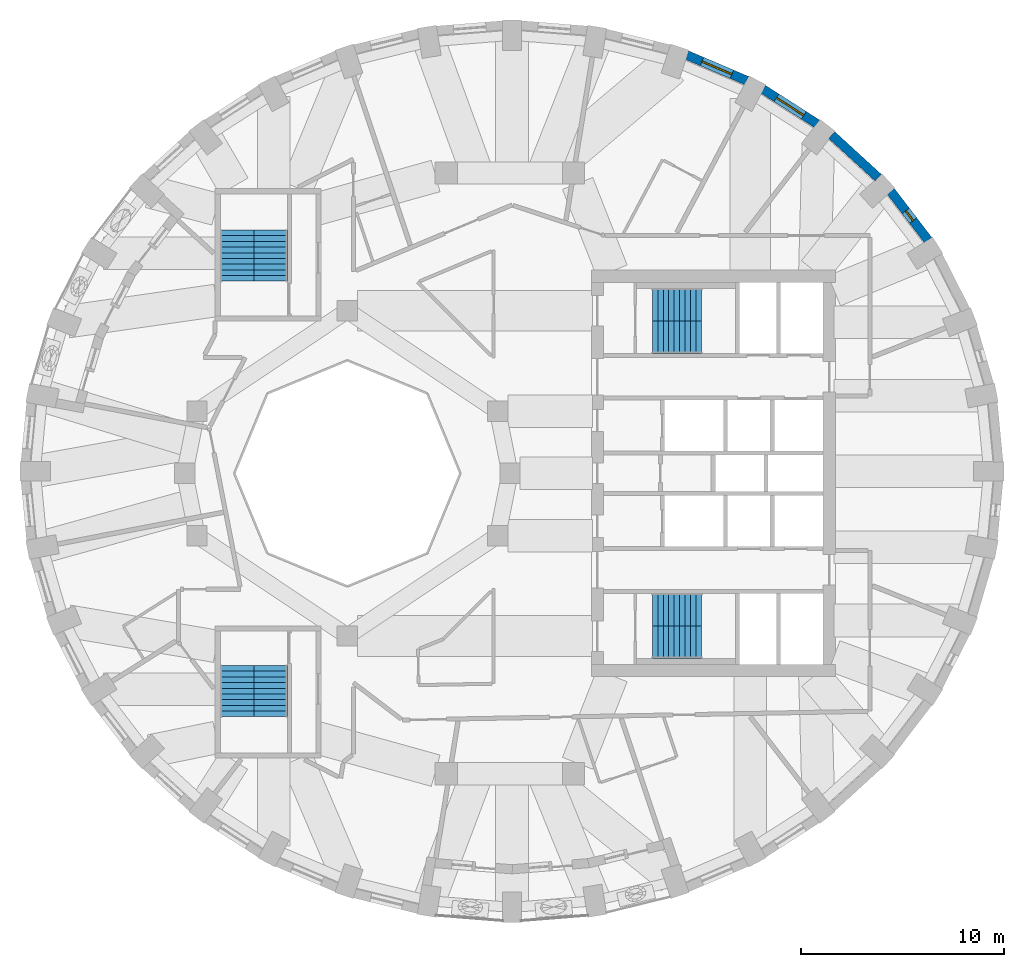
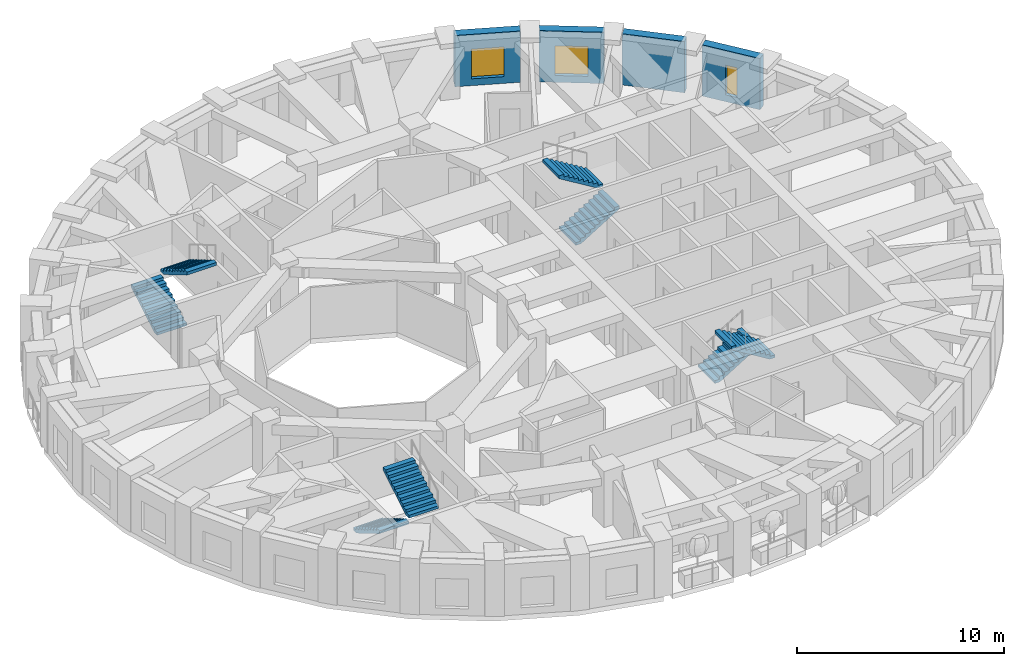
# One storey, part 8 of 11: 8 stair flights, 4 walls, 3 windows, 3 openings, 4 elements without a shape of their own.
"""IFC4 building model written with IfcOpenShell, lengths in metres."""

from ifc_helpers import new_model, si_unit, direction, frame, frame_2d, origin, place, context, subcontext, project, spatial, polyline, rectangle, outline, extrude, material, layer, layer_set, type_object, element, fill, aggregate, save


model = new_model("IFC4")

# Units and contexts
model_context = context("Model", 3, precision=1e-05, world=origin(), true_north=direction((0.0, 1.0)))
body_context = subcontext(model_context, "Body", "Model", "MODEL_VIEW")
ifc_project = project(units=[si_unit("LENGTHUNIT", "METRE"), si_unit("AREAUNIT", "SQUARE_METRE"), si_unit("VOLUMEUNIT", "CUBIC_METRE"), si_unit("PLANEANGLEUNIT", "RADIAN"), si_unit("MASSUNIT", "GRAM", prefix="KILO")], contexts=[model_context])

# Site, building, storey
site_placement = place(None, origin())
site = spatial("IfcSite", under=ifc_project, at=site_placement, CompositionType="ELEMENT")
building_placement = place(site_placement, origin())
building = spatial("IfcBuilding", under=site, at=building_placement, Name="Taillehof Tower", CompositionType="ELEMENT")
storey_placement = place(building_placement, frame((0.0, 0.0, 158.300048828125)))
storey = spatial("IfcBuildingStorey", under=building, at=storey_placement, Name="L44", CompositionType="ELEMENT", Elevation=158.300048828125)

# Wall, opening, window
ifc_material_1 = material(Name="Brick masonry", Category="masonry")
ifc_layer = layer(ifc_material_1, 0.449951171875)
ifc_layer_set = layer_set([ifc_layer], Name="Brick infill wall 450")
wall_type = type_object("IfcWallType", Name="Brick infill wall 450", PredefinedType="SOLIDWALL", material=ifc_layer_set)
wall_1_placement = place(storey_placement, frame((20.573974609375, 11.467041015625, 0.0), z_axis=(0.0, 0.0, 1.0), x_axis=(-0.607817056371, 0.794077090706, 0.0)))
wall_1 = element("IfcWall", 1, at=wall_1_placement, inside=storey, type_object=wall_type, Name="Brick wall L44 bay 4", PredefinedType="SOLIDWALL", context=body_context, shape_type="SweptSolid", body=[
    extrude(rectangle(XDim=3.037109375, YDim=0.449951171875, at=frame_2d((1.5185546875, 0.0))), origin(), (0.0, 0.0, 1.0), 3.02001953125),
])
opening_1_placement = place(wall_1_placement, frame((1.218505859375, 0.0, 0.39990234375)))
opening_1 = element("IfcOpeningElement", 2, at=opening_1_placement, cuts=wall_1, Name="Opening W6", PredefinedType="OPENING", context=body_context, shape_type="SweptSolid", body=[
    extrude(rectangle(XDim=0.60009765625, YDim=1.75, at=frame_2d((0.300048828125, 0.875))), frame((0.0, 0.23486328125, 0.0), z_axis=(0.0, -1.0, 0.0), x_axis=(1.0, 0.0, 0.0)), (0.0, 0.0, 1.0), 0.469970703125),
])
ifc_material_2 = material(Name="Aluminium window frame with clear double glazing", Category="aluminium")
window_type_1 = type_object("IfcWindowType", Name="Slot window 600x1750", PartitioningType="SINGLE_PANEL", PredefinedType="WINDOW", material=ifc_material_2)
window_1_placement = place(opening_1_placement, origin())
window_1 = element("IfcWindow", 3, at=window_1_placement, inside=storey, type_object=window_type_1, Name="W6", OverallHeight=1.75, OverallWidth=0.60009765625, PartitioningType="SINGLE_PANEL", PredefinedType="WINDOW", context=body_context, shape_type="SweptSolid", body=[
    extrude(rectangle(XDim=0.60009765625, YDim=1.75, at=frame_2d((0.300048828125, 0.875))), frame((0.0, 0.034912109375, 0.0), z_axis=(0.0, -1.0, 0.0), x_axis=(1.0, 0.0, 0.0)), (0.0, 0.0, 1.0), 0.06005859375),
])
fill(opening_1, window_1)

# Wall
wall_2_placement = place(storey_placement, frame((18.11328125, 14.5498046875, 0.0), z_axis=(0.0, 0.0, 1.0), x_axis=(-0.737808755941, 0.675009807082, 0.0)))
element("IfcWall", 4, at=wall_2_placement, inside=storey, type_object=wall_type, Name="Brick wall L44 bay 5", PredefinedType="SOLIDWALL", context=body_context, shape_type="SweptSolid", body=[
    extrude(rectangle(XDim=3.094482421875, YDim=0.449951171875, at=frame_2d((1.54736328125, 0.0))), origin(), (0.0, 0.0, 1.0), 3.02001953125),
])

# Wall, opening, window
wall_3_placement = place(storey_placement, frame((15.1083984375, 17.193359375, 0.0), z_axis=(0.0, 0.0, 1.0), x_axis=(-0.842030726237, 0.539429565442, 0.0)))
wall_3 = element("IfcWall", 5, at=wall_3_placement, inside=storey, type_object=wall_type, Name="Brick wall L44 bay 6", PredefinedType="SOLIDWALL", context=body_context, shape_type="SweptSolid", body=[
    extrude(rectangle(XDim=3.1513671875, YDim=0.449951171875, at=frame_2d((1.57568359375, 0.0))), origin(), (0.0, 0.0, 1.0), 3.02001953125),
])
opening_2_placement = place(wall_3_placement, frame((0.775634765625, 0.0, 0.39990234375)))
opening_2 = element("IfcOpeningElement", 6, at=opening_2_placement, cuts=wall_3, Name="Opening W3", PredefinedType="OPENING", context=body_context, shape_type="SweptSolid", body=[
    extrude(rectangle(XDim=1.60009765625, YDim=1.75, at=frame_2d((0.800048828125, 0.875))), frame((0.0, 0.23486328125, 0.0), z_axis=(0.0, -1.0, 0.0), x_axis=(1.0, 0.0, 0.0)), (0.0, 0.0, 1.0), 0.469970703125),
])
ifc_material_3 = material(Name="Aluminium window frame with clear double glazing", Category="aluminium")
window_type_2 = type_object("IfcWindowType", Name="Deep-set window 1600x1750", PartitioningType="SINGLE_PANEL", PredefinedType="WINDOW", material=ifc_material_3)
window_2_placement = place(opening_2_placement, origin())
window_2 = element("IfcWindow", 7, at=window_2_placement, inside=storey, type_object=window_type_2, Name="W3", OverallHeight=1.75, OverallWidth=1.60009765625, PartitioningType="SINGLE_PANEL", PredefinedType="WINDOW", context=body_context, shape_type="SweptSolid", body=[
    extrude(rectangle(XDim=1.60009765625, YDim=1.75, at=frame_2d((0.800048828125, 0.875))), frame((0.0, 0.034912109375, 0.0), z_axis=(0.0, -1.0, 0.0), x_axis=(1.0, 0.0, 0.0)), (0.0, 0.0, 1.0), 0.06005859375),
])
fill(opening_2, window_2)

wall_4_placement = place(storey_placement, frame((11.650390625, 19.318603515625, 0.0), z_axis=(0.0, 0.0, 1.0), x_axis=(-0.91981046949, 0.392362969986, 0.0)))
wall_4 = element("IfcWall", 8, at=wall_4_placement, inside=storey, type_object=wall_type, Name="Brick wall L44 bay 7", PredefinedType="SOLIDWALL", context=body_context, shape_type="SweptSolid", body=[
    extrude(rectangle(XDim=3.20068359375, YDim=0.449951171875, at=frame_2d((1.600341796875, 0.0))), origin(), (0.0, 0.0, 1.0), 3.02001953125),
])
opening_3_placement = place(wall_4_placement, frame((0.80029296875, 0.0, 0.39990234375)))
opening_3 = element("IfcOpeningElement", 9, at=opening_3_placement, cuts=wall_4, Name="Opening W3", PredefinedType="OPENING", context=body_context, shape_type="SweptSolid", body=[
    extrude(rectangle(XDim=1.60009765625, YDim=1.75, at=frame_2d((0.800048828125, 0.875))), frame((0.0, 0.23486328125, 0.0), z_axis=(0.0, -1.0, 0.0), x_axis=(1.0, 0.0, 0.0)), (0.0, 0.0, 1.0), 0.469970703125),
])
window_3_placement = place(opening_3_placement, origin())
window_3 = element("IfcWindow", 10, at=window_3_placement, inside=storey, type_object=window_type_2, Name="W3", OverallHeight=1.75, OverallWidth=1.60009765625, PartitioningType="SINGLE_PANEL", PredefinedType="WINDOW", context=body_context, shape_type="SweptSolid", body=[
    extrude(rectangle(XDim=1.60009765625, YDim=1.75, at=frame_2d((0.800048828125, 0.875))), frame((0.0, 0.034912109375, 0.0), z_axis=(0.0, -1.0, 0.0), x_axis=(1.0, 0.0, 0.0)), (0.0, 0.0, 1.0), 0.06005859375),
])
fill(opening_3, window_3)

# Stair, stair flights
ifc_material_4 = material(Name="Concrete C40/50", Category="concrete")
stair_type = type_object("IfcStairType", Name="Exit stair half-turn", PredefinedType="HALF_TURN_STAIR", material=ifc_material_4)
stair_1_placement = place(storey_placement, origin())
stair_1 = element("IfcStair", 11, at=stair_1_placement, inside=storey, type_object=stair_type, Name="Exit stair S1", PredefinedType="HALF_TURN_STAIR")
ifc_material_5 = material(Name="Concrete C40/50", Category="concrete")
stair_flight_type_1 = type_object("IfcStairFlightType", Name="Stair flight 1600 riser 165.0 going 270", PredefinedType="STRAIGHT", material=ifc_material_5)
stair_flight_1_placement = place(storey_placement, frame((7.0, 6.699951171875, 0.0), z_axis=(0.0, 0.0, 1.0), x_axis=(1.0, 0.0, 0.0)))
stair_flight_1 = element("IfcStairFlight", 12, at=stair_flight_1_placement, type_object=stair_flight_type_1, Name="S1 flight 1", NumberOfRisers=10, NumberOfTreads=9, PredefinedType="STRAIGHT", RiserHeight=0.165, TreadLength=0.27, context=body_context, shape_type="SweptSolid", body=[
    extrude(outline(polyline([(0.0, 0.0), (0.0, 0.00537109375), (0.0, 0.0107421875), (0.0, 0.015869140625), (0.0, 0.021240234375), (0.0, 0.026611328125), (0.0, 0.031982421875), (0.0, 0.037353515625), (0.0, 0.04248046875), (0.0, 0.0478515625), (0.0, 0.05322265625), (0.0, 0.05859375), (0.0, 0.06396484375), (0.0, 0.069091796875), (0.0, 0.074462890625), (0.0, 0.079833984375), (0.0, 0.085205078125), (0.0, 0.090576171875), (0.0, 0.095703125), (0.0, 0.10107421875), (0.0, 0.1064453125), (0.0, 0.11181640625), (0.0, 0.1171875), (0.0, 0.122314453125), (0.0, 0.127685546875), (0.0, 0.133056640625), (0.0, 0.138427734375), (0.0, 0.143798828125), (0.0, 0.14892578125), (0.0, 0.154296875), (0.0, 0.15966796875), (0.0, 0.1650390625), (0.27001953125, 0.1650390625), (0.27001953125, 0.330078125), (0.5400390625, 0.330078125), (0.5400390625, 0.4951171875), (0.81005859375, 0.4951171875), (0.81005859375, 0.659912109375), (1.080078125, 0.659912109375), (1.080078125, 0.824951171875), (1.35009765625, 0.824951171875), (1.35009765625, 0.989990234375), (1.6201171875, 0.989990234375), (1.6201171875, 1.155029296875), (1.889892578125, 1.155029296875), (1.889892578125, 1.320068359375), (2.159912109375, 1.320068359375), (2.159912109375, 1.485107421875), (2.429931640625, 1.485107421875), (2.429931640625, 1.479248046875), (2.429931640625, 1.4736328125), (2.429931640625, 1.468017578125), (2.429931640625, 1.46240234375), (2.429931640625, 1.45654296875), (2.429931640625, 1.450927734375), (2.429931640625, 1.4453125), (2.429931640625, 1.439697265625), (2.429931640625, 1.43408203125), (2.429931640625, 1.42822265625), (2.429931640625, 1.422607421875), (2.429931640625, 1.4169921875), (2.429931640625, 1.411376953125), (2.429931640625, 1.40576171875), (2.429931640625, 1.39990234375), (2.429931640625, 1.394287109375), (2.429931640625, 1.388671875), (2.429931640625, 1.383056640625), (2.429931640625, 1.37744140625), (2.429931640625, 1.37158203125), (2.429931640625, 1.365966796875), (2.429931640625, 1.3603515625), (2.429931640625, 1.354736328125), (2.429931640625, 1.348876953125), (2.429931640625, 1.34326171875), (2.429931640625, 1.337646484375), (2.429931640625, 1.33203125), (2.429931640625, 1.326416015625), (2.429931640625, 1.320556640625), (2.429931640625, 1.31494140625), (2.429931640625, 1.309326171875), (0.287353515625, 0.0), (0.0, 0.0)])), frame((0.0, 0.800048828125, 0.0), z_axis=(0.0, -1.0, 0.0), x_axis=(1.0, 0.0, 0.0)), (0.0, 0.0, 1.0), 1.6),
])
stair_flight_2_placement = place(storey_placement, frame((9.429931640625, 8.300048828125, 1.64990234375), z_axis=(0.0, 0.0, 1.0), x_axis=(-1.0, 0.0, 0.0)))
stair_flight_2 = element("IfcStairFlight", 13, at=stair_flight_2_placement, type_object=stair_flight_type_1, Name="S1 flight 2", NumberOfRisers=10, NumberOfTreads=9, PredefinedType="STRAIGHT", RiserHeight=0.165, TreadLength=0.27, context=body_context, shape_type="SweptSolid", body=[
    extrude(outline(polyline([(0.0, 0.0), (0.0, 0.00537109375), (0.0, 0.0107421875), (0.0, 0.015869140625), (0.0, 0.021240234375), (0.0, 0.026611328125), (0.0, 0.031982421875), (0.0, 0.037353515625), (0.0, 0.04248046875), (0.0, 0.0478515625), (0.0, 0.05322265625), (0.0, 0.05859375), (0.0, 0.06396484375), (0.0, 0.069091796875), (0.0, 0.074462890625), (0.0, 0.079833984375), (0.0, 0.085205078125), (0.0, 0.090576171875), (0.0, 0.095703125), (0.0, 0.10107421875), (0.0, 0.1064453125), (0.0, 0.11181640625), (0.0, 0.1171875), (0.0, 0.122314453125), (0.0, 0.127685546875), (0.0, 0.133056640625), (0.0, 0.138427734375), (0.0, 0.143798828125), (0.0, 0.14892578125), (0.0, 0.154296875), (0.0, 0.15966796875), (0.0, 0.1650390625), (0.27001953125, 0.1650390625), (0.27001953125, 0.330078125), (0.5400390625, 0.330078125), (0.5400390625, 0.4951171875), (0.81005859375, 0.4951171875), (0.81005859375, 0.659912109375), (1.080078125, 0.659912109375), (1.080078125, 0.824951171875), (1.35009765625, 0.824951171875), (1.35009765625, 0.989990234375), (1.6201171875, 0.989990234375), (1.6201171875, 1.155029296875), (1.889892578125, 1.155029296875), (1.889892578125, 1.320068359375), (2.159912109375, 1.320068359375), (2.159912109375, 1.485107421875), (2.429931640625, 1.485107421875), (2.429931640625, 1.479248046875), (2.429931640625, 1.4736328125), (2.429931640625, 1.468017578125), (2.429931640625, 1.46240234375), (2.429931640625, 1.45654296875), (2.429931640625, 1.450927734375), (2.429931640625, 1.4453125), (2.429931640625, 1.439697265625), (2.429931640625, 1.43408203125), (2.429931640625, 1.42822265625), (2.429931640625, 1.422607421875), (2.429931640625, 1.4169921875), (2.429931640625, 1.411376953125), (2.429931640625, 1.40576171875), (2.429931640625, 1.39990234375), (2.429931640625, 1.394287109375), (2.429931640625, 1.388671875), (2.429931640625, 1.383056640625), (2.429931640625, 1.37744140625), (2.429931640625, 1.37158203125), (2.429931640625, 1.365966796875), (2.429931640625, 1.3603515625), (2.429931640625, 1.354736328125), (2.429931640625, 1.348876953125), (2.429931640625, 1.34326171875), (2.429931640625, 1.337646484375), (2.429931640625, 1.33203125), (2.429931640625, 1.326416015625), (2.429931640625, 1.320556640625), (2.429931640625, 1.31494140625), (2.429931640625, 1.309326171875), (0.287353515625, 0.0), (0.0, 0.0)])), frame((0.0, 0.800048828125, 0.0), z_axis=(0.0, -1.0, 0.0), x_axis=(1.0, 0.0, 0.0)), (0.0, 0.0, 1.0), 1.6),
])
aggregate(stair_1, [stair_flight_1, stair_flight_2])

stair_2_placement = place(storey_placement, origin())
stair_2 = element("IfcStair", 14, at=stair_2_placement, inside=storey, type_object=stair_type, Name="Exit stair S2", PredefinedType="HALF_TURN_STAIR")
stair_flight_3_placement = place(storey_placement, frame((7.0, -6.699951171875, 0.0), z_axis=(0.0, 0.0, 1.0), x_axis=(1.0, 0.0, 0.0)))
stair_flight_3 = element("IfcStairFlight", 15, at=stair_flight_3_placement, type_object=stair_flight_type_1, Name="S2 flight 1", NumberOfRisers=10, NumberOfTreads=9, PredefinedType="STRAIGHT", RiserHeight=0.165, TreadLength=0.27, context=body_context, shape_type="SweptSolid", body=[
    extrude(outline(polyline([(0.0, 0.0), (0.0, 0.00537109375), (0.0, 0.0107421875), (0.0, 0.015869140625), (0.0, 0.021240234375), (0.0, 0.026611328125), (0.0, 0.031982421875), (0.0, 0.037353515625), (0.0, 0.04248046875), (0.0, 0.0478515625), (0.0, 0.05322265625), (0.0, 0.05859375), (0.0, 0.06396484375), (0.0, 0.069091796875), (0.0, 0.074462890625), (0.0, 0.079833984375), (0.0, 0.085205078125), (0.0, 0.090576171875), (0.0, 0.095703125), (0.0, 0.10107421875), (0.0, 0.1064453125), (0.0, 0.11181640625), (0.0, 0.1171875), (0.0, 0.122314453125), (0.0, 0.127685546875), (0.0, 0.133056640625), (0.0, 0.138427734375), (0.0, 0.143798828125), (0.0, 0.14892578125), (0.0, 0.154296875), (0.0, 0.15966796875), (0.0, 0.1650390625), (0.27001953125, 0.1650390625), (0.27001953125, 0.330078125), (0.5400390625, 0.330078125), (0.5400390625, 0.4951171875), (0.81005859375, 0.4951171875), (0.81005859375, 0.659912109375), (1.080078125, 0.659912109375), (1.080078125, 0.824951171875), (1.35009765625, 0.824951171875), (1.35009765625, 0.989990234375), (1.6201171875, 0.989990234375), (1.6201171875, 1.155029296875), (1.889892578125, 1.155029296875), (1.889892578125, 1.320068359375), (2.159912109375, 1.320068359375), (2.159912109375, 1.485107421875), (2.429931640625, 1.485107421875), (2.429931640625, 1.479248046875), (2.429931640625, 1.4736328125), (2.429931640625, 1.468017578125), (2.429931640625, 1.46240234375), (2.429931640625, 1.45654296875), (2.429931640625, 1.450927734375), (2.429931640625, 1.4453125), (2.429931640625, 1.439697265625), (2.429931640625, 1.43408203125), (2.429931640625, 1.42822265625), (2.429931640625, 1.422607421875), (2.429931640625, 1.4169921875), (2.429931640625, 1.411376953125), (2.429931640625, 1.40576171875), (2.429931640625, 1.39990234375), (2.429931640625, 1.394287109375), (2.429931640625, 1.388671875), (2.429931640625, 1.383056640625), (2.429931640625, 1.37744140625), (2.429931640625, 1.37158203125), (2.429931640625, 1.365966796875), (2.429931640625, 1.3603515625), (2.429931640625, 1.354736328125), (2.429931640625, 1.348876953125), (2.429931640625, 1.34326171875), (2.429931640625, 1.337646484375), (2.429931640625, 1.33203125), (2.429931640625, 1.326416015625), (2.429931640625, 1.320556640625), (2.429931640625, 1.31494140625), (2.429931640625, 1.309326171875), (0.287353515625, 0.0), (0.0, 0.0)])), frame((0.0, 0.800048828125, 0.0), z_axis=(0.0, -1.0, 0.0), x_axis=(1.0, 0.0, 0.0)), (0.0, 0.0, 1.0), 1.6),
])
stair_flight_4_placement = place(storey_placement, frame((9.429931640625, -8.300048828125, 1.64990234375), z_axis=(0.0, 0.0, 1.0), x_axis=(-1.0, 0.0, 0.0)))
stair_flight_4 = element("IfcStairFlight", 16, at=stair_flight_4_placement, type_object=stair_flight_type_1, Name="S2 flight 2", NumberOfRisers=10, NumberOfTreads=9, PredefinedType="STRAIGHT", RiserHeight=0.165, TreadLength=0.27, context=body_context, shape_type="SweptSolid", body=[
    extrude(outline(polyline([(0.0, 0.0), (0.0, 0.00537109375), (0.0, 0.0107421875), (0.0, 0.015869140625), (0.0, 0.021240234375), (0.0, 0.026611328125), (0.0, 0.031982421875), (0.0, 0.037353515625), (0.0, 0.04248046875), (0.0, 0.0478515625), (0.0, 0.05322265625), (0.0, 0.05859375), (0.0, 0.06396484375), (0.0, 0.069091796875), (0.0, 0.074462890625), (0.0, 0.079833984375), (0.0, 0.085205078125), (0.0, 0.090576171875), (0.0, 0.095703125), (0.0, 0.10107421875), (0.0, 0.1064453125), (0.0, 0.11181640625), (0.0, 0.1171875), (0.0, 0.122314453125), (0.0, 0.127685546875), (0.0, 0.133056640625), (0.0, 0.138427734375), (0.0, 0.143798828125), (0.0, 0.14892578125), (0.0, 0.154296875), (0.0, 0.15966796875), (0.0, 0.1650390625), (0.27001953125, 0.1650390625), (0.27001953125, 0.330078125), (0.5400390625, 0.330078125), (0.5400390625, 0.4951171875), (0.81005859375, 0.4951171875), (0.81005859375, 0.659912109375), (1.080078125, 0.659912109375), (1.080078125, 0.824951171875), (1.35009765625, 0.824951171875), (1.35009765625, 0.989990234375), (1.6201171875, 0.989990234375), (1.6201171875, 1.155029296875), (1.889892578125, 1.155029296875), (1.889892578125, 1.320068359375), (2.159912109375, 1.320068359375), (2.159912109375, 1.485107421875), (2.429931640625, 1.485107421875), (2.429931640625, 1.479248046875), (2.429931640625, 1.4736328125), (2.429931640625, 1.468017578125), (2.429931640625, 1.46240234375), (2.429931640625, 1.45654296875), (2.429931640625, 1.450927734375), (2.429931640625, 1.4453125), (2.429931640625, 1.439697265625), (2.429931640625, 1.43408203125), (2.429931640625, 1.42822265625), (2.429931640625, 1.422607421875), (2.429931640625, 1.4169921875), (2.429931640625, 1.411376953125), (2.429931640625, 1.40576171875), (2.429931640625, 1.39990234375), (2.429931640625, 1.394287109375), (2.429931640625, 1.388671875), (2.429931640625, 1.383056640625), (2.429931640625, 1.37744140625), (2.429931640625, 1.37158203125), (2.429931640625, 1.365966796875), (2.429931640625, 1.3603515625), (2.429931640625, 1.354736328125), (2.429931640625, 1.348876953125), (2.429931640625, 1.34326171875), (2.429931640625, 1.337646484375), (2.429931640625, 1.33203125), (2.429931640625, 1.326416015625), (2.429931640625, 1.320556640625), (2.429931640625, 1.31494140625), (2.429931640625, 1.309326171875), (0.287353515625, 0.0), (0.0, 0.0)])), frame((0.0, 0.800048828125, 0.0), z_axis=(0.0, -1.0, 0.0), x_axis=(1.0, 0.0, 0.0)), (0.0, 0.0, 1.0), 1.6),
])
aggregate(stair_2, [stair_flight_3, stair_flight_4])

stair_3_placement = place(storey_placement, origin())
stair_3 = element("IfcStair", 17, at=stair_3_placement, inside=storey, type_object=stair_type, Name="Exit stair S3", PredefinedType="HALF_TURN_STAIR")
ifc_material_6 = material(Name="Concrete C40/50", Category="concrete")
stair_flight_type_2 = type_object("IfcStairFlightType", Name="Stair flight 1650 riser 165.0 going 280", PredefinedType="STRAIGHT", material=ifc_material_6)
stair_flight_5_placement = place(storey_placement, frame((-13.425048828125, 9.449951171875, 0.0), z_axis=(0.0, 0.0, 1.0), x_axis=(0.0, 1.0, 0.0)))
stair_flight_5 = element("IfcStairFlight", 18, at=stair_flight_5_placement, type_object=stair_flight_type_2, Name="S3 flight 1", NumberOfRisers=10, NumberOfTreads=9, PredefinedType="STRAIGHT", RiserHeight=0.165, TreadLength=0.28, context=body_context, shape_type="SweptSolid", body=[
    extrude(outline(polyline([(0.0, 0.0), (0.0, 0.00537109375), (0.0, 0.0107421875), (0.0, 0.015869140625), (0.0, 0.021240234375), (0.0, 0.026611328125), (0.0, 0.031982421875), (0.0, 0.037353515625), (0.0, 0.04248046875), (0.0, 0.0478515625), (0.0, 0.05322265625), (0.0, 0.05859375), (0.0, 0.06396484375), (0.0, 0.069091796875), (0.0, 0.074462890625), (0.0, 0.079833984375), (0.0, 0.085205078125), (0.0, 0.090576171875), (0.0, 0.095703125), (0.0, 0.10107421875), (0.0, 0.1064453125), (0.0, 0.11181640625), (0.0, 0.1171875), (0.0, 0.122314453125), (0.0, 0.127685546875), (0.0, 0.133056640625), (0.0, 0.138427734375), (0.0, 0.143798828125), (0.0, 0.14892578125), (0.0, 0.154296875), (0.0, 0.15966796875), (0.0, 0.1650390625), (0.280029296875, 0.1650390625), (0.280029296875, 0.330078125), (0.56005859375, 0.330078125), (0.56005859375, 0.4951171875), (0.840087890625, 0.4951171875), (0.840087890625, 0.659912109375), (1.1201171875, 0.659912109375), (1.1201171875, 0.824951171875), (1.39990234375, 0.824951171875), (1.39990234375, 0.989990234375), (1.679931640625, 0.989990234375), (1.679931640625, 1.155029296875), (1.9599609375, 1.155029296875), (1.9599609375, 1.320068359375), (2.239990234375, 1.320068359375), (2.239990234375, 1.485107421875), (2.52001953125, 1.485107421875), (2.52001953125, 1.4794921875), (2.52001953125, 1.473876953125), (2.52001953125, 1.46826171875), (2.52001953125, 1.462646484375), (2.52001953125, 1.45703125), (2.52001953125, 1.451416015625), (2.52001953125, 1.44580078125), (2.52001953125, 1.440185546875), (2.52001953125, 1.4345703125), (2.52001953125, 1.428955078125), (2.52001953125, 1.42333984375), (2.52001953125, 1.417724609375), (2.52001953125, 1.412109375), (2.52001953125, 1.406494140625), (2.52001953125, 1.40087890625), (2.52001953125, 1.395263671875), (2.52001953125, 1.3896484375), (2.52001953125, 1.384033203125), (2.52001953125, 1.37841796875), (2.52001953125, 1.372802734375), (2.52001953125, 1.3671875), (2.52001953125, 1.361572265625), (2.52001953125, 1.35595703125), (2.52001953125, 1.350341796875), (2.52001953125, 1.3447265625), (2.52001953125, 1.339111328125), (2.52001953125, 1.33349609375), (2.52001953125, 1.327880859375), (2.52001953125, 1.322265625), (2.52001953125, 1.316650390625), (2.52001953125, 1.31103515625), (0.295166015625, 0.0), (0.0, 0.0)])), frame((0.0, 0.824951171875, 0.0), z_axis=(0.0, -1.0, 0.0), x_axis=(1.0, 0.0, 0.0)), (0.0, 0.0, 1.0), 1.65),
])
stair_flight_6_placement = place(storey_placement, frame((-11.77490234375, 11.969970703125, 1.64990234375), z_axis=(0.0, 0.0, 1.0), x_axis=(0.0, -1.0, 0.0)))
stair_flight_6 = element("IfcStairFlight", 19, at=stair_flight_6_placement, type_object=stair_flight_type_2, Name="S3 flight 2", NumberOfRisers=10, NumberOfTreads=9, PredefinedType="STRAIGHT", RiserHeight=0.165, TreadLength=0.28, context=body_context, shape_type="SweptSolid", body=[
    extrude(outline(polyline([(0.0, 0.0), (0.0, 0.00537109375), (0.0, 0.0107421875), (0.0, 0.015869140625), (0.0, 0.021240234375), (0.0, 0.026611328125), (0.0, 0.031982421875), (0.0, 0.037353515625), (0.0, 0.04248046875), (0.0, 0.0478515625), (0.0, 0.05322265625), (0.0, 0.05859375), (0.0, 0.06396484375), (0.0, 0.069091796875), (0.0, 0.074462890625), (0.0, 0.079833984375), (0.0, 0.085205078125), (0.0, 0.090576171875), (0.0, 0.095703125), (0.0, 0.10107421875), (0.0, 0.1064453125), (0.0, 0.11181640625), (0.0, 0.1171875), (0.0, 0.122314453125), (0.0, 0.127685546875), (0.0, 0.133056640625), (0.0, 0.138427734375), (0.0, 0.143798828125), (0.0, 0.14892578125), (0.0, 0.154296875), (0.0, 0.15966796875), (0.0, 0.1650390625), (0.280029296875, 0.1650390625), (0.280029296875, 0.330078125), (0.56005859375, 0.330078125), (0.56005859375, 0.4951171875), (0.840087890625, 0.4951171875), (0.840087890625, 0.659912109375), (1.1201171875, 0.659912109375), (1.1201171875, 0.824951171875), (1.39990234375, 0.824951171875), (1.39990234375, 0.989990234375), (1.679931640625, 0.989990234375), (1.679931640625, 1.155029296875), (1.9599609375, 1.155029296875), (1.9599609375, 1.320068359375), (2.239990234375, 1.320068359375), (2.239990234375, 1.485107421875), (2.52001953125, 1.485107421875), (2.52001953125, 1.4794921875), (2.52001953125, 1.473876953125), (2.52001953125, 1.46826171875), (2.52001953125, 1.462646484375), (2.52001953125, 1.45703125), (2.52001953125, 1.451416015625), (2.52001953125, 1.44580078125), (2.52001953125, 1.440185546875), (2.52001953125, 1.4345703125), (2.52001953125, 1.428955078125), (2.52001953125, 1.42333984375), (2.52001953125, 1.417724609375), (2.52001953125, 1.412109375), (2.52001953125, 1.406494140625), (2.52001953125, 1.40087890625), (2.52001953125, 1.395263671875), (2.52001953125, 1.3896484375), (2.52001953125, 1.384033203125), (2.52001953125, 1.37841796875), (2.52001953125, 1.372802734375), (2.52001953125, 1.3671875), (2.52001953125, 1.361572265625), (2.52001953125, 1.35595703125), (2.52001953125, 1.350341796875), (2.52001953125, 1.3447265625), (2.52001953125, 1.339111328125), (2.52001953125, 1.33349609375), (2.52001953125, 1.327880859375), (2.52001953125, 1.322265625), (2.52001953125, 1.316650390625), (2.52001953125, 1.31103515625), (0.295166015625, 0.0), (0.0, 0.0)])), frame((0.0, 0.824951171875, 0.0), z_axis=(0.0, -1.0, 0.0), x_axis=(1.0, 0.0, 0.0)), (0.0, 0.0, 1.0), 1.65),
])
aggregate(stair_3, [stair_flight_5, stair_flight_6])

stair_4_placement = place(storey_placement, origin())
stair_4 = element("IfcStair", 20, at=stair_4_placement, inside=storey, type_object=stair_type, Name="Exit stair S4", PredefinedType="HALF_TURN_STAIR")
stair_flight_7_placement = place(storey_placement, frame((-13.425048828125, -9.449951171875, 0.0), z_axis=(0.0, 0.0, 1.0), x_axis=(0.0, -1.0, 0.0)))
stair_flight_7 = element("IfcStairFlight", 21, at=stair_flight_7_placement, type_object=stair_flight_type_2, Name="S4 flight 1", NumberOfRisers=10, NumberOfTreads=9, PredefinedType="STRAIGHT", RiserHeight=0.165, TreadLength=0.28, context=body_context, shape_type="SweptSolid", body=[
    extrude(outline(polyline([(0.0, 0.0), (0.0, 0.00537109375), (0.0, 0.0107421875), (0.0, 0.015869140625), (0.0, 0.021240234375), (0.0, 0.026611328125), (0.0, 0.031982421875), (0.0, 0.037353515625), (0.0, 0.04248046875), (0.0, 0.0478515625), (0.0, 0.05322265625), (0.0, 0.05859375), (0.0, 0.06396484375), (0.0, 0.069091796875), (0.0, 0.074462890625), (0.0, 0.079833984375), (0.0, 0.085205078125), (0.0, 0.090576171875), (0.0, 0.095703125), (0.0, 0.10107421875), (0.0, 0.1064453125), (0.0, 0.11181640625), (0.0, 0.1171875), (0.0, 0.122314453125), (0.0, 0.127685546875), (0.0, 0.133056640625), (0.0, 0.138427734375), (0.0, 0.143798828125), (0.0, 0.14892578125), (0.0, 0.154296875), (0.0, 0.15966796875), (0.0, 0.1650390625), (0.280029296875, 0.1650390625), (0.280029296875, 0.330078125), (0.56005859375, 0.330078125), (0.56005859375, 0.4951171875), (0.840087890625, 0.4951171875), (0.840087890625, 0.659912109375), (1.1201171875, 0.659912109375), (1.1201171875, 0.824951171875), (1.39990234375, 0.824951171875), (1.39990234375, 0.989990234375), (1.679931640625, 0.989990234375), (1.679931640625, 1.155029296875), (1.9599609375, 1.155029296875), (1.9599609375, 1.320068359375), (2.239990234375, 1.320068359375), (2.239990234375, 1.485107421875), (2.52001953125, 1.485107421875), (2.52001953125, 1.4794921875), (2.52001953125, 1.473876953125), (2.52001953125, 1.46826171875), (2.52001953125, 1.462646484375), (2.52001953125, 1.45703125), (2.52001953125, 1.451416015625), (2.52001953125, 1.44580078125), (2.52001953125, 1.440185546875), (2.52001953125, 1.4345703125), (2.52001953125, 1.428955078125), (2.52001953125, 1.42333984375), (2.52001953125, 1.417724609375), (2.52001953125, 1.412109375), (2.52001953125, 1.406494140625), (2.52001953125, 1.40087890625), (2.52001953125, 1.395263671875), (2.52001953125, 1.3896484375), (2.52001953125, 1.384033203125), (2.52001953125, 1.37841796875), (2.52001953125, 1.372802734375), (2.52001953125, 1.3671875), (2.52001953125, 1.361572265625), (2.52001953125, 1.35595703125), (2.52001953125, 1.350341796875), (2.52001953125, 1.3447265625), (2.52001953125, 1.339111328125), (2.52001953125, 1.33349609375), (2.52001953125, 1.327880859375), (2.52001953125, 1.322265625), (2.52001953125, 1.316650390625), (2.52001953125, 1.31103515625), (0.295166015625, 0.0), (0.0, 0.0)])), frame((0.0, 0.824951171875, 0.0), z_axis=(0.0, -1.0, 0.0), x_axis=(1.0, 0.0, 0.0)), (0.0, 0.0, 1.0), 1.65),
])
stair_flight_8_placement = place(storey_placement, frame((-11.77490234375, -11.969970703125, 1.64990234375), z_axis=(0.0, 0.0, 1.0), x_axis=(0.0, 1.0, 0.0)))
stair_flight_8 = element("IfcStairFlight", 22, at=stair_flight_8_placement, type_object=stair_flight_type_2, Name="S4 flight 2", NumberOfRisers=10, NumberOfTreads=9, PredefinedType="STRAIGHT", RiserHeight=0.165, TreadLength=0.28, context=body_context, shape_type="SweptSolid", body=[
    extrude(outline(polyline([(0.0, 0.0), (0.0, 0.00537109375), (0.0, 0.0107421875), (0.0, 0.015869140625), (0.0, 0.021240234375), (0.0, 0.026611328125), (0.0, 0.031982421875), (0.0, 0.037353515625), (0.0, 0.04248046875), (0.0, 0.0478515625), (0.0, 0.05322265625), (0.0, 0.05859375), (0.0, 0.06396484375), (0.0, 0.069091796875), (0.0, 0.074462890625), (0.0, 0.079833984375), (0.0, 0.085205078125), (0.0, 0.090576171875), (0.0, 0.095703125), (0.0, 0.10107421875), (0.0, 0.1064453125), (0.0, 0.11181640625), (0.0, 0.1171875), (0.0, 0.122314453125), (0.0, 0.127685546875), (0.0, 0.133056640625), (0.0, 0.138427734375), (0.0, 0.143798828125), (0.0, 0.14892578125), (0.0, 0.154296875), (0.0, 0.15966796875), (0.0, 0.1650390625), (0.280029296875, 0.1650390625), (0.280029296875, 0.330078125), (0.56005859375, 0.330078125), (0.56005859375, 0.4951171875), (0.840087890625, 0.4951171875), (0.840087890625, 0.659912109375), (1.1201171875, 0.659912109375), (1.1201171875, 0.824951171875), (1.39990234375, 0.824951171875), (1.39990234375, 0.989990234375), (1.679931640625, 0.989990234375), (1.679931640625, 1.155029296875), (1.9599609375, 1.155029296875), (1.9599609375, 1.320068359375), (2.239990234375, 1.320068359375), (2.239990234375, 1.485107421875), (2.52001953125, 1.485107421875), (2.52001953125, 1.4794921875), (2.52001953125, 1.473876953125), (2.52001953125, 1.46826171875), (2.52001953125, 1.462646484375), (2.52001953125, 1.45703125), (2.52001953125, 1.451416015625), (2.52001953125, 1.44580078125), (2.52001953125, 1.440185546875), (2.52001953125, 1.4345703125), (2.52001953125, 1.428955078125), (2.52001953125, 1.42333984375), (2.52001953125, 1.417724609375), (2.52001953125, 1.412109375), (2.52001953125, 1.406494140625), (2.52001953125, 1.40087890625), (2.52001953125, 1.395263671875), (2.52001953125, 1.3896484375), (2.52001953125, 1.384033203125), (2.52001953125, 1.37841796875), (2.52001953125, 1.372802734375), (2.52001953125, 1.3671875), (2.52001953125, 1.361572265625), (2.52001953125, 1.35595703125), (2.52001953125, 1.350341796875), (2.52001953125, 1.3447265625), (2.52001953125, 1.339111328125), (2.52001953125, 1.33349609375), (2.52001953125, 1.327880859375), (2.52001953125, 1.322265625), (2.52001953125, 1.316650390625), (2.52001953125, 1.31103515625), (0.295166015625, 0.0), (0.0, 0.0)])), frame((0.0, 0.824951171875, 0.0), z_axis=(0.0, -1.0, 0.0), x_axis=(1.0, 0.0, 0.0)), (0.0, 0.0, 1.0), 1.65),
])
aggregate(stair_4, [stair_flight_7, stair_flight_8])

save(model, "model.ifc")
